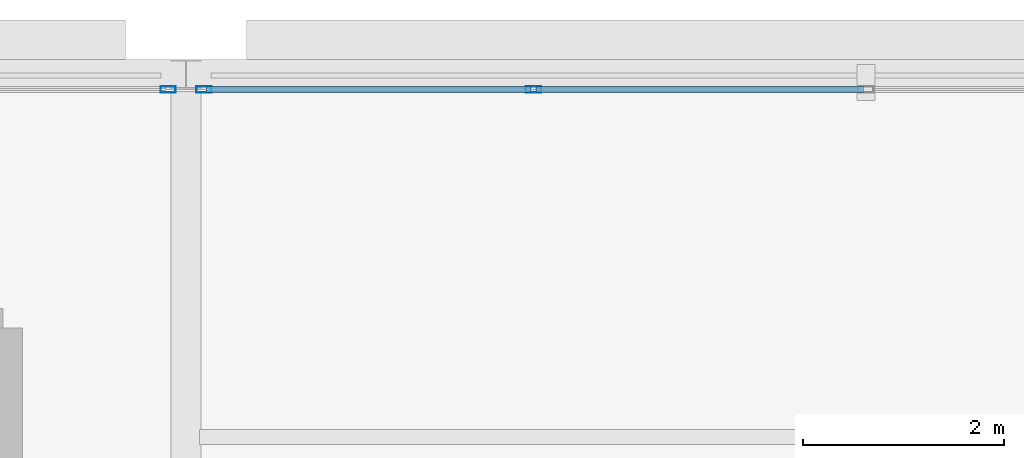
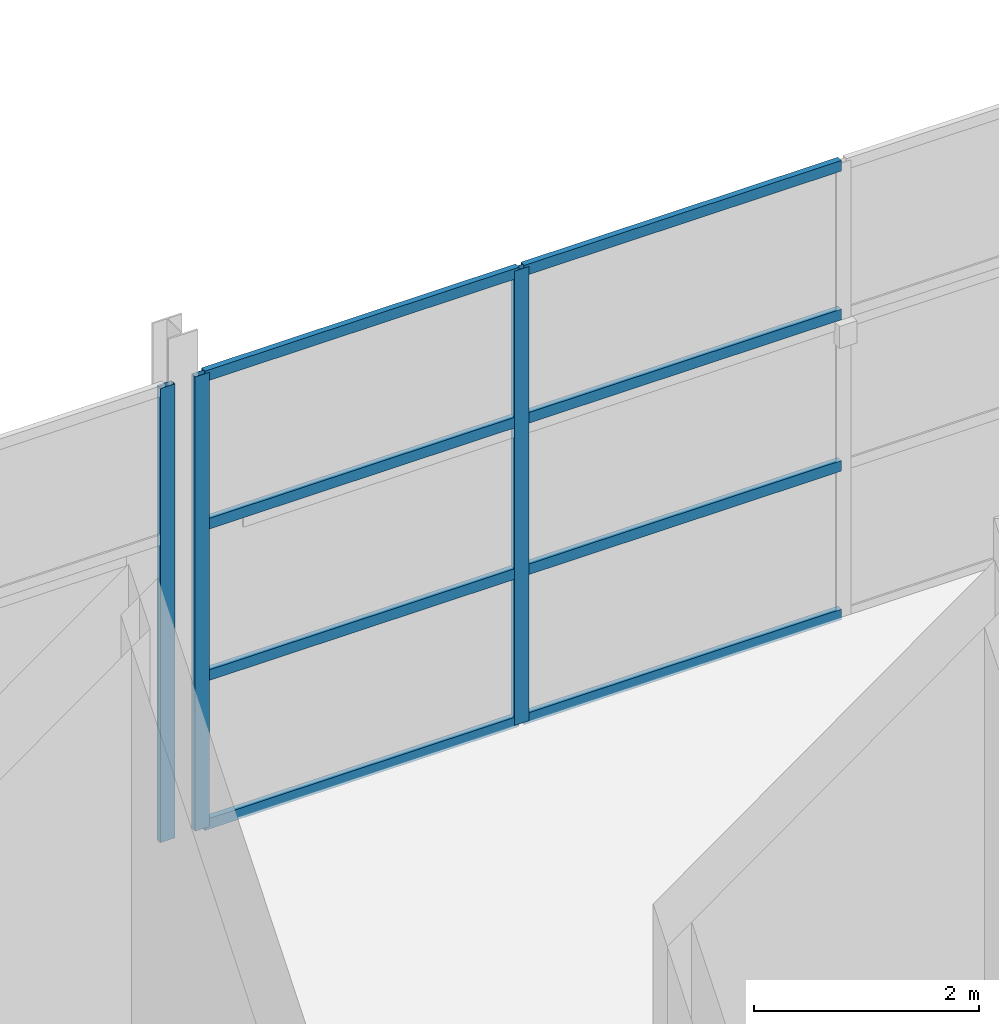
# One storey, part 22 of 34: 11 members, 2 elements without a shape of their own.
"""IFC4 building model written with IfcOpenShell, lengths in metres."""

from ifc_helpers import new_model, si_unit, direction, frame, origin, origin_2d, place, context, subcontext, project, spatial, hollow_rectangle, extrude, material, layer, layer_set, material_profile, profile_set, type_object, element, aggregate, save


model = new_model("IFC4")

# Units and contexts
model_context = context("Model", 3, precision=1e-05, world=origin(), true_north=direction((0.0, 1.0)))
body_context = subcontext(model_context, "Body", "Model", "MODEL_VIEW")
ifc_project = project(units=[si_unit("LENGTHUNIT", "METRE"), si_unit("AREAUNIT", "SQUARE_METRE"), si_unit("VOLUMEUNIT", "CUBIC_METRE"), si_unit("PLANEANGLEUNIT", "RADIAN"), si_unit("MASSUNIT", "GRAM", prefix="KILO")], contexts=[model_context])

# Site, building, storey
site_placement = place(None, origin())
site = spatial("IfcSite", under=ifc_project, at=site_placement, CompositionType="ELEMENT")
building_placement = place(site_placement, origin())
building = spatial("IfcBuilding", under=site, at=building_placement, Name="Tamarisk Ironworks Central Station", CompositionType="ELEMENT")
storey_placement = place(building_placement, frame((0.0, 0.0, 25.199951171875)))
storey = spatial("IfcBuildingStorey", under=building, at=storey_placement, Name="L05", CompositionType="ELEMENT", Elevation=25.199951171875)

# Curtain wall, member
ifc_material = material(Name="Anodized aluminium alloy 6063-T6", Category="aluminium")
ifc_layer = layer(ifc_material, 0.179931640625)
ifc_layer_set = layer_set([ifc_layer], Name="Anodized aluminium alloy 6063-T6")
curtain_wall_type = type_object("IfcCurtainWallType", Name="CW-20", PredefinedType="USERDEFINED", material=ifc_layer_set)
curtain_wall_1_placement = place(storey_placement, origin())
curtain_wall_1 = element("IfcCurtainWall", 1, at=curtain_wall_1_placement, inside=storey, type_object=curtain_wall_type, Name="Operations L05 north facade curtain wall 140", ObjectType="GLAZED CURTAIN WALL", PredefinedType="USERDEFINED")
ifc_material_profile_1 = material_profile(ifc_material, hollow_rectangle(XDim=0.06005859375, YDim=0.14990234375, WallThickness=0.00341796875, at=origin_2d()), Name="ALUM 150x60")
ifc_profile_set_1 = profile_set([ifc_material_profile_1], Name="Anodized aluminium alloy 6063-T6")
member_type_1 = type_object("IfcMemberType", Name="CWM-03", PredefinedType="MULLION", material=ifc_profile_set_1)
member_1_placement = place(storey_placement, frame((152.822021484375, 122.25, 0.0), z_axis=(0.0, 0.0, 1.0), x_axis=(0.0, 1.0, 0.0)))
member_1 = element("IfcMember", 2, at=member_1_placement, type_object=member_type_1, Name="CW20 mullion 5", PredefinedType="MULLION", context=body_context, shape_type="SweptSolid", body=[
    extrude(hollow_rectangle(XDim=0.06005859375, YDim=0.14990234375, WallThickness=0.00341796875, at=origin_2d()), origin(), (0.0, 0.0, 1.0), 4.920166015625),
])
aggregate(curtain_wall_1, [member_1])

# Curtain wall, members
curtain_wall_2_placement = place(storey_placement, origin())
curtain_wall_2 = element("IfcCurtainWall", 3, at=curtain_wall_2_placement, inside=storey, type_object=curtain_wall_type, Name="Operations L05 north facade curtain wall 153", ObjectType="GLAZED CURTAIN WALL", PredefinedType="USERDEFINED")
member_2_placement = place(storey_placement, frame((153.177978515625, 122.25, 0.0), z_axis=(0.0, 0.0, 1.0), x_axis=(0.0, 1.0, 0.0)))
member_2 = element("IfcMember", 4, at=member_2_placement, type_object=member_type_1, Name="CW20 mullion 1", PredefinedType="MULLION", context=body_context, shape_type="SweptSolid", body=[
    extrude(hollow_rectangle(XDim=0.06005859375, YDim=0.14990234375, WallThickness=0.00341796875, at=origin_2d()), origin(), (0.0, 0.0, 1.0), 4.920166015625),
])
member_3_placement = place(storey_placement, frame((156.448974609375, 122.25, 0.0), z_axis=(0.0, 0.0, 1.0), x_axis=(0.0, 1.0, 0.0)))
member_3 = element("IfcMember", 5, at=member_3_placement, type_object=member_type_1, Name="CW20 mullion 2", PredefinedType="MULLION", context=body_context, shape_type="SweptSolid", body=[
    extrude(hollow_rectangle(XDim=0.06005859375, YDim=0.14990234375, WallThickness=0.00341796875, at=origin_2d()), origin(), (0.0, 0.0, 1.0), 4.920166015625),
])
ifc_material_profile_2 = material_profile(ifc_material, hollow_rectangle(XDim=0.06005859375, YDim=0.114990234375, WallThickness=0.00341796875, at=origin_2d()), Name="ALUM 115x60")
ifc_profile_set_2 = profile_set([ifc_material_profile_2], Name="Anodized aluminium alloy 6063-T6")
member_type_2 = type_object("IfcMemberType", Name="CWT-03", PredefinedType="USERDEFINED", material=ifc_profile_set_2)
member_4_placement = place(storey_placement, frame((153.2041015625, 122.25, 0.030029296875), z_axis=(1.0, 0.0, 0.0), x_axis=(0.0, 1.0, 0.0)))
member_4 = element("IfcMember", 6, at=member_4_placement, type_object=member_type_2, Name="CW20 transom 1.1", ObjectType="TRANSOM", PredefinedType="USERDEFINED", context=body_context, shape_type="SweptSolid", body=[
    extrude(hollow_rectangle(XDim=0.06005859375, YDim=0.114990234375, WallThickness=0.00341796875, at=origin_2d()), origin(), (0.0, 0.0, 1.0), 3.218994140625),
])
member_5_placement = place(storey_placement, frame((153.2041015625, 122.25, 1.64013671875), z_axis=(1.0, 0.0, 0.0), x_axis=(0.0, 1.0, 0.0)))
member_5 = element("IfcMember", 7, at=member_5_placement, type_object=member_type_2, Name="CW20 transom 1.2", ObjectType="TRANSOM", PredefinedType="USERDEFINED", context=body_context, shape_type="SweptSolid", body=[
    extrude(hollow_rectangle(XDim=0.06005859375, YDim=0.114990234375, WallThickness=0.00341796875, at=origin_2d()), origin(), (0.0, 0.0, 1.0), 3.218994140625),
])
member_6_placement = place(storey_placement, frame((153.2041015625, 122.25, 3.280029296875), z_axis=(1.0, 0.0, 0.0), x_axis=(0.0, 1.0, 0.0)))
member_6 = element("IfcMember", 8, at=member_6_placement, type_object=member_type_2, Name="CW20 transom 1.3", ObjectType="TRANSOM", PredefinedType="USERDEFINED", context=body_context, shape_type="SweptSolid", body=[
    extrude(hollow_rectangle(XDim=0.06005859375, YDim=0.114990234375, WallThickness=0.00341796875, at=origin_2d()), origin(), (0.0, 0.0, 1.0), 3.218994140625),
])
member_7_placement = place(storey_placement, frame((153.2041015625, 122.25, 4.89013671875), z_axis=(1.0, 0.0, 0.0), x_axis=(0.0, 1.0, 0.0)))
member_7 = element("IfcMember", 9, at=member_7_placement, type_object=member_type_2, Name="CW20 transom 1.4", ObjectType="TRANSOM", PredefinedType="USERDEFINED", context=body_context, shape_type="SweptSolid", body=[
    extrude(hollow_rectangle(XDim=0.06005859375, YDim=0.114990234375, WallThickness=0.00341796875, at=origin_2d()), origin(), (0.0, 0.0, 1.0), 3.218994140625),
])
member_8_placement = place(storey_placement, frame((156.47509765625, 122.25, 0.030029296875), z_axis=(1.0, 0.0, 0.0), x_axis=(0.0, 1.0, 0.0)))
member_8 = element("IfcMember", 10, at=member_8_placement, type_object=member_type_2, Name="CW20 transom 2.1", ObjectType="TRANSOM", PredefinedType="USERDEFINED", context=body_context, shape_type="SweptSolid", body=[
    extrude(hollow_rectangle(XDim=0.06005859375, YDim=0.114990234375, WallThickness=0.00341796875, at=origin_2d()), origin(), (0.0, 0.0, 1.0), 3.2490234375),
])
member_9_placement = place(storey_placement, frame((156.47509765625, 122.25, 1.64013671875), z_axis=(1.0, 0.0, 0.0), x_axis=(0.0, 1.0, 0.0)))
member_9 = element("IfcMember", 11, at=member_9_placement, type_object=member_type_2, Name="CW20 transom 2.2", ObjectType="TRANSOM", PredefinedType="USERDEFINED", context=body_context, shape_type="SweptSolid", body=[
    extrude(hollow_rectangle(XDim=0.06005859375, YDim=0.114990234375, WallThickness=0.00341796875, at=origin_2d()), origin(), (0.0, 0.0, 1.0), 3.2490234375),
])
member_10_placement = place(storey_placement, frame((156.47509765625, 122.25, 3.280029296875), z_axis=(1.0, 0.0, 0.0), x_axis=(0.0, 1.0, 0.0)))
member_10 = element("IfcMember", 12, at=member_10_placement, type_object=member_type_2, Name="CW20 transom 2.3", ObjectType="TRANSOM", PredefinedType="USERDEFINED", context=body_context, shape_type="SweptSolid", body=[
    extrude(hollow_rectangle(XDim=0.06005859375, YDim=0.114990234375, WallThickness=0.00341796875, at=origin_2d()), origin(), (0.0, 0.0, 1.0), 3.2490234375),
])
member_11_placement = place(storey_placement, frame((156.47509765625, 122.25, 4.89013671875), z_axis=(1.0, 0.0, 0.0), x_axis=(0.0, 1.0, 0.0)))
member_11 = element("IfcMember", 13, at=member_11_placement, type_object=member_type_2, Name="CW20 transom 2.4", ObjectType="TRANSOM", PredefinedType="USERDEFINED", context=body_context, shape_type="SweptSolid", body=[
    extrude(hollow_rectangle(XDim=0.06005859375, YDim=0.114990234375, WallThickness=0.00341796875, at=origin_2d()), origin(), (0.0, 0.0, 1.0), 3.2490234375),
])
aggregate(curtain_wall_2, [member_2, member_3, member_4, member_5, member_6, member_7, member_8, member_9, member_10, member_11])

save(model, "model.ifc")
